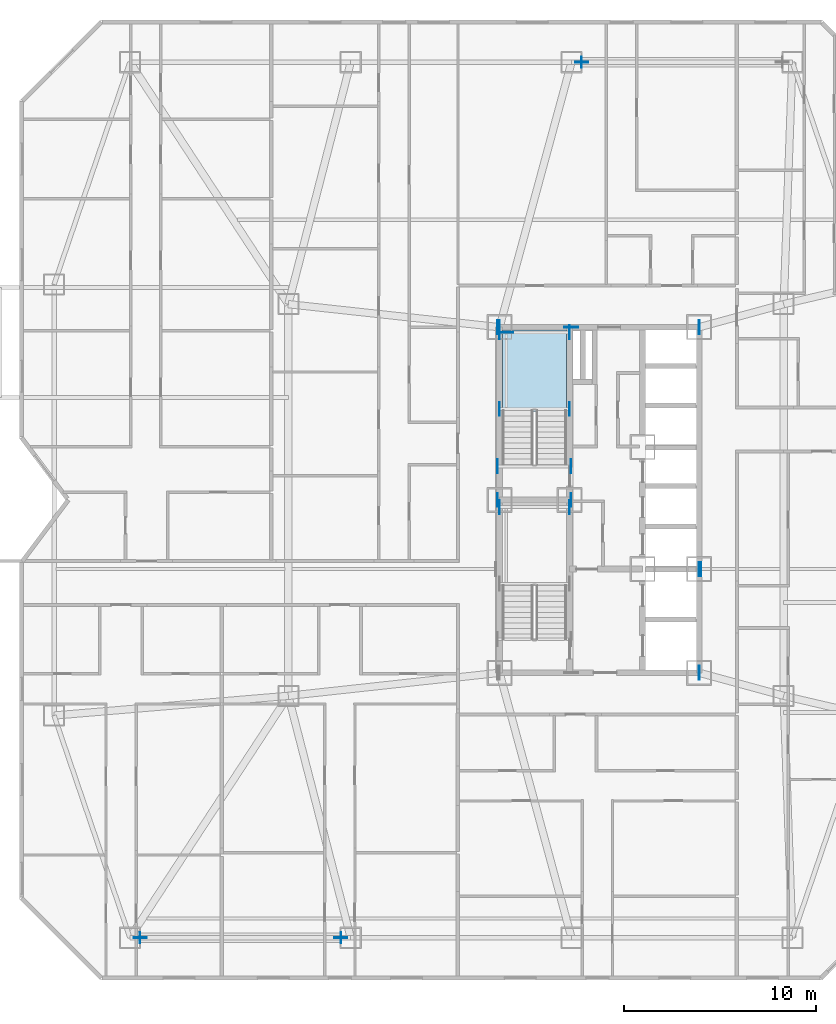
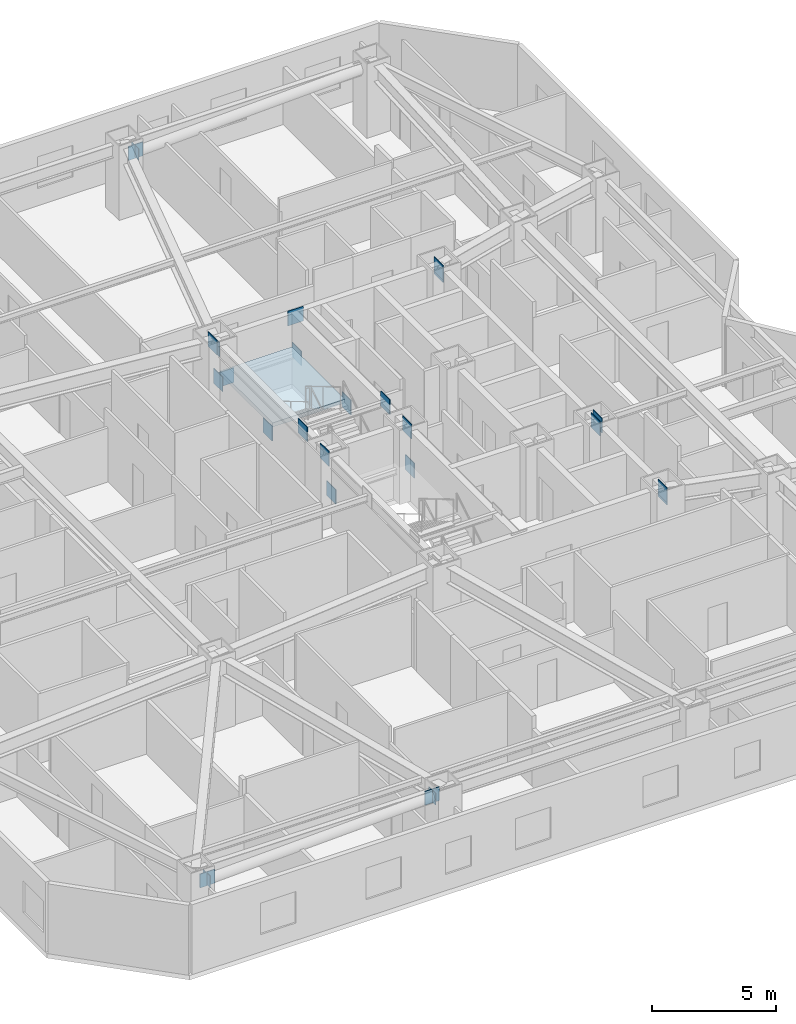
# One storey, part 4 of 14: 26 plates, 1 slab, 1 element without a shape of its own.
"""IFC4 building model written with IfcOpenShell, lengths in metres."""

import ifcopenshell
import ifcopenshell.guid

model = None  # the IFC model being written
_history = None  # IfcOwnerHistory: only IFC2X3 demands one
_inside = {}  # id of a spatial element -> (the spatial element, [elements in it])
_under = {}  # id of a project, library or spatial element -> (it, [spatial elements below it])
_declared = {}  # id of a project -> (the project, [libraries it declares])
_typed = {}  # id of a type object -> (the type object, [elements of that type])
_made_of = {}  # id of a material, layer set ... -> (it, [elements and type objects made of it])


def new_model(schema):
    """Start an empty IFC model of exactly this schema.

    Asked for "IFC4X3", IfcOpenShell would pick the latest addendum, in which some entities
    have other attributes; the version numbers below select the first issue.
    IFC2X3 requires an IfcOwnerHistory on every rooted entity: one is made here for all.
    """
    global model, _history
    if schema == "IFC4X3":
        model = ifcopenshell.file(schema_version=(4, 3, 0, 0))
    else:
        model = ifcopenshell.file(schema=schema)
    _inside.clear()
    _under.clear()
    _declared.clear()
    _typed.clear()
    _made_of.clear()
    _history = None
    if model.schema == "IFC2X3":
        org = make("IfcOrganization", Name="unknown")
        user = make(
            "IfcPersonAndOrganization",
            ThePerson=make("IfcPerson", FamilyName="unknown"),
            TheOrganization=org,
        )
        app = make(
            "IfcApplication",
            ApplicationDeveloper=org,
            Version="unknown",
            ApplicationFullName="unknown",
            ApplicationIdentifier="unknown",
        )
        _history = make(
            "IfcOwnerHistory",
            OwningUser=user,
            OwningApplication=app,
            ChangeAction="ADDED",
            CreationDate=0,
        )
    return model


def make(cls, **values):
    """One entity of the class cls with the attributes given. An attribute that is None is left unset."""
    return model.create_entity(
        cls, **{name: value for name, value in values.items() if value is not None}
    )


def rooted(cls, **values):
    """An entity with a GlobalId (a new one), such as an element, a storey or a relation."""
    return make(cls, GlobalId=ifcopenshell.guid.new(), OwnerHistory=_history, **values)


def si_unit(unit_type, name, prefix=None):
    """IfcSIUnit, for example si_unit("LENGTHUNIT", "METRE", prefix="MILLI")."""
    return make("IfcSIUnit", UnitType=unit_type, Prefix=prefix, Name=name)


def assignment(units):
    """IfcUnitAssignment: the units of a project."""
    return None if units is None else make("IfcUnitAssignment", Units=units)


def point(xyz):
    """IfcCartesianPoint."""
    return None if xyz is None else make("IfcCartesianPoint", Coordinates=xyz)


def direction(xyz):
    """IfcDirection."""
    return None if xyz is None else make("IfcDirection", DirectionRatios=xyz)


def frame(location, z_axis=None, x_axis=None):
    """IfcAxis2Placement3D, a coordinate frame: its origin and axes. An axis left out is left unset."""
    return make(
        "IfcAxis2Placement3D",
        Location=point(location),
        Axis=direction(z_axis),
        RefDirection=direction(x_axis),
    )


def frame_2d(location, x_axis=None):
    """IfcAxis2Placement2D, a coordinate frame in the plane: its origin and x axis."""
    return make(
        "IfcAxis2Placement2D", Location=point(location), RefDirection=direction(x_axis)
    )


def origin():
    """The frame at (0, 0, 0) with its axes left unset."""
    return frame((0.0, 0.0, 0.0))


def origin_2d():
    """The frame at (0, 0) in the plane with its x axis left unset."""
    return frame_2d((0.0, 0.0))


def place(relative_to, where):
    """IfcLocalPlacement: puts the frame where relative to a parent placement (None: the world)."""
    return make(
        "IfcLocalPlacement", PlacementRelTo=relative_to, RelativePlacement=where
    )


def context(
    kind, dimensions, precision=None, world=None, true_north=None, identifier=None
):
    """IfcGeometricRepresentationContext, for example the 3D "Model" context."""
    return make(
        "IfcGeometricRepresentationContext",
        ContextIdentifier=identifier,
        ContextType=kind,
        CoordinateSpaceDimension=dimensions,
        Precision=precision,
        WorldCoordinateSystem=world,
        TrueNorth=true_north,
    )


def subcontext(parent, identifier, kind, view, scale=None):
    """IfcGeometricRepresentationSubContext, for example "Body" below "Model"."""
    return make(
        "IfcGeometricRepresentationSubContext",
        ContextIdentifier=identifier,
        ContextType=kind,
        ParentContext=parent,
        TargetScale=scale,
        TargetView=view,
    )


def project(units=None, contexts=None):
    """IfcProject with its units and contexts."""
    return rooted(
        "IfcProject",
        Name="project",
        RepresentationContexts=contexts,
        UnitsInContext=assignment(units),
    )


def spatial(cls, under=None, at=None, **own):
    """A site, building, storey or space (cls), placed at a placement, below another one or the project."""
    s = rooted(cls, ObjectPlacement=at, **own)
    if under is not None:
        _under.setdefault(under.id(), (under, []))[1].append(s)
    return s


def polyline(points):
    """IfcPolyline through the points."""
    return make("IfcPolyline", Points=[point(p) for p in points])


def profile(cls, at=None, kind="AREA", **sizes):
    """A parametric profile (cls). Its sizes go by their IFC names, for example OverallWidth=200.0."""
    return make(cls, ProfileType=kind, Position=at, **sizes)


def rectangle(**sizes):
    """IfcRectangleProfileDef."""
    return profile("IfcRectangleProfileDef", **sizes)


def outline(outer, holes=None, kind="AREA"):
    """IfcArbitraryClosedProfileDef: a profile drawn as a closed curve; with holes, ...WithVoids."""
    if holes is None:
        return make("IfcArbitraryClosedProfileDef", ProfileType=kind, OuterCurve=outer)
    return make(
        "IfcArbitraryProfileDefWithVoids",
        ProfileType=kind,
        OuterCurve=outer,
        InnerCurves=holes,
    )


def extrude(swept, where, along, depth):
    """IfcExtrudedAreaSolid: the profile swept, set in the frame where, extruded along a direction by depth."""
    return make(
        "IfcExtrudedAreaSolid",
        SweptArea=swept,
        Position=where,
        ExtrudedDirection=direction(along),
        Depth=depth,
    )


def shape(context_of_items, identifier, shape_type, items):
    """IfcShapeRepresentation: the items that make up one representation, for example the "Body"."""
    return make(
        "IfcShapeRepresentation",
        ContextOfItems=context_of_items,
        RepresentationIdentifier=identifier,
        RepresentationType=shape_type,
        Items=items,
    )


def material(Name=None, Category=None):
    """IfcMaterial."""
    return make("IfcMaterial", Name=Name, Category=Category)


def layer(
    of_material, thickness, ventilated=None, Name=None, Category=None, Priority=None
):
    """IfcMaterialLayer: one layer of a wall or slab, of a material (None: an air gap)."""
    return make(
        "IfcMaterialLayer",
        Material=of_material,
        LayerThickness=thickness,
        IsVentilated=ventilated,
        Name=Name,
        Category=Category,
        Priority=Priority,
    )


def layer_set(layers, Name=None):
    """IfcMaterialLayerSet."""
    return make("IfcMaterialLayerSet", MaterialLayers=layers, LayerSetName=Name)


def made_of(thing, what):
    """Note that an element or type object is made of a material, layer set ...; save() writes the relation."""
    if what is not None:
        _made_of.setdefault(what.id(), (what, []))[1].append(thing)
    return thing


def type_object(cls, material=None, **own):
    """A type object (cls), such as IfcWallType, which elements share."""
    return made_of(rooted(cls, **own), material)


def element(
    cls,
    number,
    at=None,
    inside=None,
    cuts=None,
    type_object=None,
    material=None,
    context=None,
    identifier="Body",
    shape_type=None,
    held_by="IfcProductDefinitionShape",
    body=None,
    shapes=None,
    **own,
):
    """One element of the class cls, such as IfcWall. Its Tag is "e" and its number.

    at: its placement. inside: the storey or other place that contains it. cuts: it is an
    opening in that element (IfcRelVoidsElement). A single representation is given by context,
    identifier, shape_type and body (its items); several are given by shapes. held_by: the class
    of the entity that holds the representations. save() writes the other relations.
    """
    e = rooted(cls, Tag="e%d" % number, ObjectPlacement=at, **own)
    if body is not None:
        shapes = [shape(context, identifier, shape_type, body)]
    if shapes is not None:
        e.Representation = make(held_by, Representations=shapes)
    if inside is not None:
        _inside.setdefault(inside.id(), (inside, []))[1].append(e)
    if cuts is not None:
        rooted(
            "IfcRelVoidsElement", RelatingBuildingElement=cuts, RelatedOpeningElement=e
        )
    if type_object is not None:
        _typed.setdefault(type_object.id(), (type_object, []))[1].append(e)
    return made_of(e, material)


def aggregate(whole, parts):
    """IfcRelAggregates: a whole, such as a stair, and the parts it consists of."""
    return rooted("IfcRelAggregates", RelatingObject=whole, RelatedObjects=parts)


def save(model, path):
    """Write the relations noted so far, then the file.

    IfcRelAggregates (storeys below a building ...), IfcRelContainedInSpatialStructure (elements
    in a storey), IfcRelDefinesByType, IfcRelAssociatesMaterial and IfcRelDeclares: one each for
    every whole, place, type object, material and project.
    """
    for whole, parts in _under.values():
        aggregate(whole, parts)
    for where, things in _inside.values():
        rooted(
            "IfcRelContainedInSpatialStructure",
            RelatedElements=things,
            RelatingStructure=where,
        )
    for kind, things in _typed.values():
        rooted("IfcRelDefinesByType", RelatedObjects=things, RelatingType=kind)
    for what, things in _made_of.values():
        rooted("IfcRelAssociatesMaterial", RelatedObjects=things, RelatingMaterial=what)
    for by, libraries in _declared.values():
        rooted("IfcRelDeclares", RelatingContext=by, RelatedDefinitions=libraries)
    model.write(path)


model = new_model("IFC4")

# Units and contexts
model_context = context("Model", 3, precision=1e-05, world=origin(), true_north=direction((0.0, 1.0)))
body_context = subcontext(model_context, "Body", "Model", "MODEL_VIEW")
ifc_project = project(units=[si_unit("LENGTHUNIT", "METRE"), si_unit("AREAUNIT", "SQUARE_METRE"), si_unit("VOLUMEUNIT", "CUBIC_METRE"), si_unit("PLANEANGLEUNIT", "RADIAN"), si_unit("MASSUNIT", "GRAM", prefix="KILO")], contexts=[model_context])

# Site, building, storey
site_placement = place(None, origin())
site = spatial("IfcSite", under=ifc_project, at=site_placement, CompositionType="ELEMENT")
building_placement = place(site_placement, origin())
building = spatial("IfcBuilding", under=site, at=building_placement, Name="Khamvora Tower", CompositionType="ELEMENT")
storey_placement = place(building_placement, frame((0.0, 0.0, 51.550048828125)))
storey = spatial("IfcBuildingStorey", under=building, at=storey_placement, Name="L12", CompositionType="ELEMENT", Elevation=51.550048828125)

# Plates
ifc_material_1 = material(Name="Steel S355", Category="steel")
ifc_layer_1 = layer(ifc_material_1, 0.02490234375)
ifc_layer_set_1 = layer_set([ifc_layer_1], Name="Steel S355")
plate_type_1 = type_object("IfcPlateType", Name="PL-CAP-25", PredefinedType="SHEET", material=ifc_layer_set_1)
for number, where, z_axis, x_axis, name in (
    (1, (10.26806640625, 5.199951171875, 2.416015625), (0.0, 0.0, 1.0), (1.0, 0.0, 0.0), "L12 hollow section steel end cap plate 0576"),
    (2, (20.73193359375, 5.199951171875, 2.81689453125), (0.0, 0.0, 1.0), (1.0, 0.0, 0.0), "L12 hollow section steel end cap plate 0577"),
    (3, (33.26806640625, 50.800048828125, 2.416015625), (0.0, 0.0, 1.0), (1.0, 0.0, 0.0), "L12 hollow section steel end cap plate 0578"),
):
    element("IfcPlate", number, at=place(storey_placement, frame(where, z_axis=z_axis, x_axis=x_axis)), inside=storey, type_object=plate_type_1, Name=name, PredefinedType="SHEET", context=body_context, shape_type="SweptSolid", body=[
        extrude(rectangle(XDim=0.02490234375, YDim=0.568115234375, at=origin_2d()), origin(), (0.0, 0.0, 1.0), 0.568115234375),
    ])
ifc_material_2 = material(Name="Steel S460", Category="steel")
ifc_layer_2 = layer(ifc_material_2, 0.034912109375)
ifc_layer_set_2 = layer_set([ifc_layer_2], Name="Steel S460")
plate_type_2 = type_object("IfcPlateType", Name="PL-EMB-35", PredefinedType="SHEET", material=ifc_layer_set_2)
for number, where, z_axis, x_axis, name in (
    (4, (29.0, 27.6298828125, 1.1337890625), (0.0, 0.0, 1.0), (1.0, 0.0, 0.0), "L12 core shear wall cast-in embed plate 0368"),
    (5, (32.64990234375, 27.6298828125, 1.1337890625), (0.0, 0.0, 1.0), (1.0, 0.0, 0.0), "L12 core shear wall cast-in embed plate 0369"),
    (6, (29.0, 32.735107421875, 1.1337890625), (0.0, 0.0, 1.0), (1.0, 0.0, 0.0), "L12 core shear wall cast-in embed plate 0370"),
    (7, (32.64990234375, 32.735107421875, 1.1337890625), (0.0, 0.0, 1.0), (1.0, 0.0, 0.0), "L12 core shear wall cast-in embed plate 0371"),
    (8, (29.0, 36.72998046875, 1.1337890625), (0.0, 0.0, 1.0), (1.0, 0.0, 0.0), "L12 core shear wall cast-in embed plate 0372"),
    (9, (32.64990234375, 36.72998046875, 1.1337890625), (0.0, 0.0, 1.0), (1.0, 0.0, 0.0), "L12 core shear wall cast-in embed plate 0373"),
):
    element("IfcPlate", number, at=place(storey_placement, frame(where, z_axis=z_axis, x_axis=x_axis)), inside=storey, type_object=plate_type_2, Name=name, PredefinedType="SHEET", context=body_context, shape_type="SweptSolid", body=[
        extrude(rectangle(XDim=0.034912109375, YDim=0.719970703125, at=origin_2d()), origin(), (0.0, 0.0, 1.0), 0.719970703125),
    ])
plate_1_placement = place(storey_placement, frame((29.35009765625, 36.72998046875, 1.1337890625), z_axis=(0.0, 0.0, 1.0), x_axis=(1.0, 0.0, 0.0)))
element("IfcPlate", 10, at=plate_1_placement, inside=storey, type_object=plate_type_2, Name="L12 core shear wall cast-in embed plate 0374", PredefinedType="SHEET", context=body_context, shape_type="SweptSolid", body=[
    extrude(rectangle(XDim=0.719970703125, YDim=0.034912109375, at=origin_2d()), origin(), (0.0, 0.0, 1.0), 0.719970703125),
])
for number, where, z_axis, x_axis, name in (
    (11, (29.0, 37.0, 2.68310546875), (0.0, 0.0, 1.0), (1.0, 0.0, 0.0), "L12 core shear wall cast-in embed plate 0376"),
    (12, (39.39990234375, 19.0, 2.68310546875), (0.0, 0.0, 1.0), (1.0, 0.0, 0.0), "L12 core shear wall cast-in embed plate 0377"),
    (13, (39.39990234375, 37.0, 2.68310546875), (0.0, 0.0, 1.0), (1.0, 0.0, 0.0), "L12 core shear wall cast-in embed plate 0378"),
    (14, (28.89990234375, 28.0, 2.802734375), (0.0, 0.0, 1.0), (1.0, 0.0, 0.0), "L12 core shear wall cast-in embed plate 0380"),
    (15, (28.89990234375, 37.0, 2.802734375), (0.0, 0.0, 1.0), (1.0, 0.0, 0.0), "L12 core shear wall cast-in embed plate 0381"),
    (16, (32.72998046875, 28.0, 2.802734375), (0.0, 0.0, 1.0), (1.0, 0.0, 0.0), "L12 core shear wall cast-in embed plate 0383"),
):
    element("IfcPlate", number, at=place(storey_placement, frame(where, z_axis=z_axis, x_axis=x_axis)), inside=storey, type_object=plate_type_2, Name=name, PredefinedType="SHEET", context=body_context, shape_type="SweptSolid", body=[
        extrude(rectangle(XDim=0.034912109375, YDim=0.719970703125, at=origin_2d()), origin(), (0.0, 0.0, 1.0), 0.719970703125),
    ])
plate_2_placement = place(storey_placement, frame((32.72998046875, 37.0, 2.802734375), z_axis=(0.0, 0.0, 1.0), x_axis=(1.0, 0.0, 0.0)))
element("IfcPlate", 17, at=plate_2_placement, inside=storey, type_object=plate_type_2, Name="L12 core shear wall cast-in embed plate 0384", PredefinedType="SHEET", context=body_context, shape_type="SweptSolid", body=[
    extrude(rectangle(XDim=0.719970703125, YDim=0.034912109375, at=origin_2d()), origin(), (0.0, 0.0, 1.0), 0.719970703125),
])
for number, where, z_axis, x_axis, name in (
    (18, (39.39990234375, 19.0, 2.802734375), (0.0, 0.0, 1.0), (1.0, 0.0, 0.0), "L12 core shear wall cast-in embed plate 0385"),
    (19, (39.39990234375, 24.39990234375, 2.802734375), (0.0, 0.0, 1.0), (1.0, 0.0, 0.0), "L12 core shear wall cast-in embed plate 0386"),
    (20, (39.39990234375, 37.0, 2.802734375), (0.0, 0.0, 1.0), (1.0, 0.0, 0.0), "L12 core shear wall cast-in embed plate 0387"),
    (21, (28.89990234375, 29.75, 2.94384765625), (0.0, 0.0, 1.0), (1.0, 0.0, 0.0), "L12 core shear wall cast-in embed plate 0390"),
    (22, (32.72998046875, 29.75, 2.94384765625), (0.0, 0.0, 1.0), (1.0, 0.0, 0.0), "L12 core shear wall cast-in embed plate 0391"),
    (23, (39.4990234375, 24.39990234375, 2.9130859375), (0.0, 0.0, 1.0), (1.0, 0.0, 0.0), "L12 core shear wall cast-in embed plate 0393"),
):
    element("IfcPlate", number, at=place(storey_placement, frame(where, z_axis=z_axis, x_axis=x_axis)), inside=storey, type_object=plate_type_2, Name=name, PredefinedType="SHEET", context=body_context, shape_type="SweptSolid", body=[
        extrude(rectangle(XDim=0.034912109375, YDim=0.719970703125, at=origin_2d()), origin(), (0.0, 0.0, 1.0), 0.719970703125),
    ])
ifc_layer_3 = layer(ifc_material_2, 0.0400390625)
ifc_layer_set_3 = layer_set([ifc_layer_3], Name="Steel S460")
plate_type_3 = type_object("IfcPlateType", Name="PLT-GUS-40", PredefinedType="SHEET", material=ifc_layer_set_3)
for number, where, z_axis, x_axis, name in (
    (24, (10.280029296875, 5.199951171875, 2.35986328125), (0.0, 0.0, 1.0), (1.0, 0.0, 0.0), "L12 brace connection node gusset plate 0093"),
    (25, (20.719970703125, 5.199951171875, 2.7607421875), (0.0, 0.0, 1.0), (1.0, 0.0, 0.0), "L12 brace connection node gusset plate 0094"),
    (26, (33.280029296875, 50.800048828125, 2.35986328125), (0.0, 0.0, 1.0), (1.0, 0.0, 0.0), "L12 brace connection node gusset plate 0095"),
):
    element("IfcPlate", number, at=place(storey_placement, frame(where, z_axis=z_axis, x_axis=x_axis)), inside=storey, type_object=plate_type_3, Name=name, PredefinedType="SHEET", context=body_context, shape_type="SweptSolid", body=[
        extrude(rectangle(XDim=0.679931640625, YDim=0.0400390625, at=origin_2d()), origin(), (0.0, 0.0, 1.0), 0.679931640625),
    ])

# Stair, slab
ifc_material_3 = material(Name="Concrete C40/50", Category="concrete")
stair_type = type_object("IfcStairType", Name="STR-ST-02", PredefinedType="HALF_TURN_STAIR", material=ifc_material_3)
stair_placement = place(storey_placement, origin())
stair = element("IfcStair", 27, at=stair_placement, inside=storey, type_object=stair_type, Name="L12 North Tower Exit Stair ST-02", PredefinedType="HALF_TURN_STAIR")
ifc_layer_4 = layer(ifc_material_3, 0.199951171875)
ifc_layer_set_4 = layer_set([ifc_layer_4], Name="Concrete C40/50")
slab_type = type_object("IfcSlabType", Name="SLB-LND-200", PredefinedType="LANDING", material=ifc_layer_set_4)
slab_placement = place(storey_placement, frame((0.0, 0.0, 1.625)))
slab = element("IfcSlab", 28, at=slab_placement, type_object=slab_type, Name="ST-02 landing 1", PredefinedType="LANDING", context=body_context, shape_type="SweptSolid", body=[
    extrude(outline(polyline([(32.5, 32.614990234375), (32.5, 36.85009765625), (29.14990234375, 36.85009765625), (29.14990234375, 32.614990234375), (32.5, 32.614990234375)])), origin(), (0.0, 0.0, 1.0), 0.199951171875),
])
aggregate(stair, [slab])

save(model, "model.ifc")
